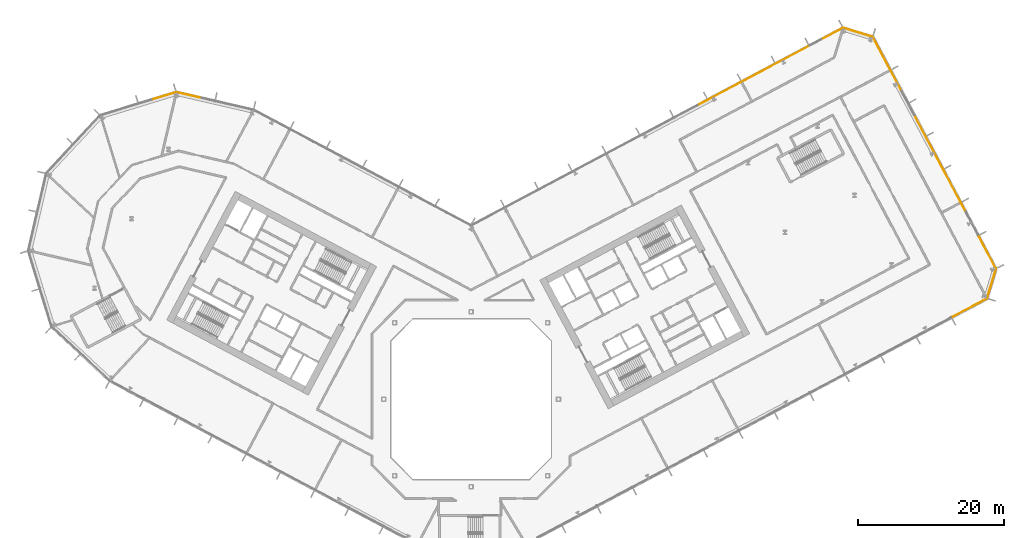
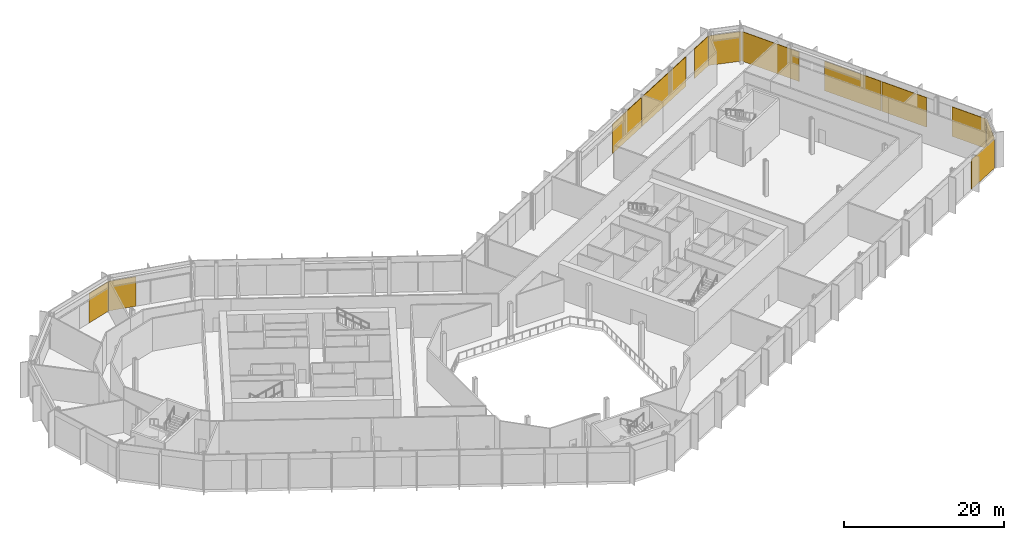
# One storey, part 31 of 31: 12 coverings, 7 elements without a shape of their own.
"""IFC4 building model written with IfcOpenShell, lengths in metres."""

from ifc_helpers import new_model, si_unit, direction, frame, origin, origin_2d, place, context, subcontext, project, spatial, rectangle, extrude, material, layer, layer_set, type_object, element, aggregate, save


model = new_model("IFC4")

# Units and contexts
model_context = context("Model", 3, precision=1e-05, world=origin(), true_north=direction((0.0, 1.0)))
body_context = subcontext(model_context, "Body", "Model", "MODEL_VIEW")
ifc_project = project(units=[si_unit("LENGTHUNIT", "METRE"), si_unit("AREAUNIT", "SQUARE_METRE"), si_unit("VOLUMEUNIT", "CUBIC_METRE"), si_unit("PLANEANGLEUNIT", "RADIAN"), si_unit("MASSUNIT", "GRAM", prefix="KILO")], contexts=[model_context])

# Site, building, storey
site_placement = place(None, origin())
site = spatial("IfcSite", under=ifc_project, at=site_placement, CompositionType="ELEMENT")
building_placement = place(site_placement, origin())
building = spatial("IfcBuilding", under=site, at=building_placement, Name="Cormorant Relay Tower", CompositionType="ELEMENT")
storey_placement = place(building_placement, frame((0.0, 0.0, 23.0)))
storey = spatial("IfcBuildingStorey", under=building, at=storey_placement, Name="L04", CompositionType="ELEMENT", Elevation=23.0)

# Curtain wall, covering
ifc_material_1 = material(Name="Aluminium 6063-T6 anodised bronze", Category="aluminium")
ifc_layer_1 = layer(ifc_material_1, 0.235107421875)
ifc_layer_set_1 = layer_set([ifc_layer_1], Name="CW6 data hall curtain wall with mineral wool panels")
curtain_wall_type = type_object("IfcCurtainWallType", Name="CW6 data hall curtain wall with mineral wool panels", PredefinedType="NOTDEFINED", material=ifc_layer_set_1)
curtain_wall_1_placement = place(storey_placement, origin())
curtain_wall_1 = element("IfcCurtainWall", 1, at=curtain_wall_1_placement, inside=storey, type_object=curtain_wall_type, Name="CW6 curtain wall 2", PredefinedType="NOTDEFINED")
ifc_material_2 = material(Name="Mineral wool cored anodised bronze aluminium cassette panel", Category="aluminium")
ifc_layer_2 = layer(ifc_material_2, 0.074951171875)
ifc_layer_set_2 = layer_set([ifc_layer_2], Name="CW6 mineral wool cassette panel 75")
covering_type = type_object("IfcCoveringType", Name="CW6 mineral wool cassette panel 75", PredefinedType="CLADDING", material=ifc_layer_set_2)
covering_1_placement = place(storey_placement, frame((68.399658203125, 12.542236328125, 0.0), z_axis=(0.0, 0.0, 1.0), x_axis=(0.882947592859, 0.469471562786, 0.0)))
covering_1 = element("IfcCovering", 2, at=covering_1_placement, type_object=covering_type, Name="CW6 panel S13", PredefinedType="CLADDING", context=body_context, shape_type="SweptSolid", body=[
    extrude(rectangle(XDim=5.436767578125, YDim=0.074951171875, at=origin_2d()), origin(), (0.0, 0.0, 1.0), 4.5),
])
aggregate(curtain_wall_1, [covering_1])

curtain_wall_2_placement = place(storey_placement, origin())
curtain_wall_2 = element("IfcCurtainWall", 3, at=curtain_wall_2_placement, inside=storey, type_object=curtain_wall_type, Name="CW6 curtain wall 3", PredefinedType="NOTDEFINED")
covering_2_placement = place(storey_placement, frame((71.44921875, 15.9052734375, 0.0), z_axis=(0.0, 0.0, 1.0), x_axis=(0.292371704723, 0.956304755963, 0.0)))
covering_2 = element("IfcCovering", 4, at=covering_2_placement, type_object=covering_type, Name="CW6 panel S00", PredefinedType="CLADDING", context=body_context, shape_type="SweptSolid", body=[
    extrude(rectangle(XDim=4.16748046875, YDim=0.074951171875, at=origin_2d()), origin(), (0.0, 0.0, 1.0), 4.5),
])
aggregate(curtain_wall_2, [covering_2])

# Curtain wall, coverings
curtain_wall_3_placement = place(storey_placement, origin())
curtain_wall_3 = element("IfcCurtainWall", 5, at=curtain_wall_3_placement, inside=storey, type_object=curtain_wall_type, Name="CW6 curtain wall 4", PredefinedType="NOTDEFINED")
covering_3_placement = place(storey_placement, frame((70.8486328125, 20.197021484375, 0.0), z_axis=(0.0, 0.0, 1.0), x_axis=(-0.469471562786, 0.882947592859, 0.0)))
covering_3 = element("IfcCovering", 6, at=covering_3_placement, type_object=covering_type, Name="CW6 panel S00", PredefinedType="CLADDING", context=body_context, shape_type="SweptSolid", body=[
    extrude(rectangle(XDim=4.992919921875, YDim=0.074951171875, at=origin_2d()), origin(), (0.0, 0.0, 1.0), 4.5),
])
covering_4_placement = place(storey_placement, frame((66.3818359375, 28.59765625, 0.0), z_axis=(0.0, 0.0, 1.0), x_axis=(-0.469471562786, 0.882947592859, 0.0)))
covering_4 = element("IfcCovering", 7, at=covering_4_placement, type_object=covering_type, Name="CW6 panel S02", PredefinedType="CLADDING", context=body_context, shape_type="SweptSolid", body=[
    extrude(rectangle(XDim=6.53564453125, YDim=0.074951171875, at=origin_2d()), origin(), (0.0, 0.0, 1.0), 4.5),
])
covering_5_placement = place(storey_placement, frame((62.820556640625, 35.29541015625, 0.0), z_axis=(0.0, 0.0, 1.0), x_axis=(-0.469471562786, 0.882947592859, 0.0)))
covering_5 = element("IfcCovering", 8, at=covering_5_placement, type_object=covering_type, Name="CW6 panel S03", PredefinedType="CLADDING", context=body_context, shape_type="SweptSolid", body=[
    extrude(rectangle(XDim=8.335693359375, YDim=0.074951171875, at=origin_2d()), origin(), (0.0, 0.0, 1.0), 4.5),
])
covering_6_placement = place(storey_placement, frame((57.129150390625, 45.99951171875, 0.0), z_axis=(0.0, 0.0, 1.0), x_axis=(-0.469471562786, 0.882947592859, 0.0)))
covering_6 = element("IfcCovering", 9, at=covering_6_placement, type_object=covering_type, Name="CW6 panel S06", PredefinedType="CLADDING", context=body_context, shape_type="SweptSolid", body=[
    extrude(rectangle(XDim=8.41064453125, YDim=0.074951171875, at=origin_2d()), origin(), (0.0, 0.0, 1.0), 4.5),
])
aggregate(curtain_wall_3, [covering_3, covering_4, covering_5, covering_6])

# Curtain wall, covering
curtain_wall_4_placement = place(storey_placement, origin())
curtain_wall_4 = element("IfcCurtainWall", 10, at=curtain_wall_4_placement, inside=storey, type_object=curtain_wall_type, Name="CW6 curtain wall 5", PredefinedType="NOTDEFINED")
covering_7_placement = place(storey_placement, frame((53.068115234375, 50.362060546875, 0.0), z_axis=(0.0, 0.0, 1.0), x_axis=(-0.956304755963, 0.292371704723, 0.0)))
covering_7 = element("IfcCovering", 11, at=covering_7_placement, type_object=covering_type, Name="CW6 panel S00", PredefinedType="CLADDING", context=body_context, shape_type="SweptSolid", body=[
    extrude(rectangle(XDim=4.16748046875, YDim=0.074951171875, at=origin_2d()), origin(), (0.0, 0.0, 1.0), 4.5),
])
aggregate(curtain_wall_4, [covering_7])

# Curtain wall, coverings
curtain_wall_5_placement = place(storey_placement, origin())
curtain_wall_5 = element("IfcCurtainWall", 12, at=curtain_wall_5_placement, inside=storey, type_object=curtain_wall_type, Name="CW6 curtain wall 6", PredefinedType="NOTDEFINED")
covering_8_placement = place(storey_placement, frame((49.5205078125, 50.156982421875, 0.0), z_axis=(0.0, 0.0, 1.0), x_axis=(-0.882947592859, -0.469471562786, 0.0)))
covering_8 = element("IfcCovering", 13, at=covering_8_placement, type_object=covering_type, Name="CW6 panel S00", PredefinedType="CLADDING", context=body_context, shape_type="SweptSolid", body=[
    extrude(rectangle(XDim=3.3076171875, YDim=0.074951171875, at=origin_2d()), origin(), (0.0, 0.0, 1.0), 4.5),
])
covering_9_placement = place(storey_placement, frame((41.762451171875, 46.031982421875, 0.0), z_axis=(0.0, 0.0, 1.0), x_axis=(-0.882947592859, -0.469471562786, 0.0)))
covering_9 = element("IfcCovering", 14, at=covering_9_placement, type_object=covering_type, Name="CW6 panel S02", PredefinedType="CLADDING", context=body_context, shape_type="SweptSolid", body=[
    extrude(rectangle(XDim=10.365234375, YDim=0.074951171875, at=origin_2d()), origin(), (0.0, 0.0, 1.0), 4.5),
])
covering_10_placement = place(storey_placement, frame((34.0673828125, 41.940185546875, 0.0), z_axis=(0.0, 0.0, 1.0), x_axis=(-0.882947592859, -0.469471562786, 0.0)))
covering_10 = element("IfcCovering", 15, at=covering_10_placement, type_object=covering_type, Name="CW6 panel S03", PredefinedType="CLADDING", context=body_context, shape_type="SweptSolid", body=[
    extrude(rectangle(XDim=6.765380859375, YDim=0.074951171875, at=origin_2d()), origin(), (0.0, 0.0, 1.0), 4.5),
])
aggregate(curtain_wall_5, [covering_8, covering_9, covering_10])

# Curtain wall, covering
curtain_wall_6_placement = place(storey_placement, origin())
curtain_wall_6 = element("IfcCurtainWall", 16, at=curtain_wall_6_placement, inside=storey, type_object=curtain_wall_type, Name="CW6 curtain wall 8", PredefinedType="NOTDEFINED")
covering_11_placement = place(storey_placement, frame((-38.72265625, 41.74951171875, 0.0), z_axis=(0.0, 0.0, 1.0), x_axis=(-0.974370064785, 0.224951054344, 0.0)))
covering_11 = element("IfcCovering", 17, at=covering_11_placement, type_object=covering_type, Name="CW6 panel S02", PredefinedType="CLADDING", context=body_context, shape_type="SweptSolid", body=[
    extrude(rectangle(XDim=3.560302734375, YDim=0.074951171875, at=origin_2d()), origin(), (0.0, 0.0, 1.0), 4.5),
])
aggregate(curtain_wall_6, [covering_11])

curtain_wall_7_placement = place(storey_placement, origin())
curtain_wall_7 = element("IfcCurtainWall", 18, at=curtain_wall_7_placement, inside=storey, type_object=curtain_wall_type, Name="CW6 curtain wall 9", PredefinedType="NOTDEFINED")
covering_12_placement = place(storey_placement, frame((-42.214599609375, 41.617919921875, 0.0), z_axis=(0.0, 0.0, 1.0), x_axis=(-0.956304755963, -0.292371704723, 0.0)))
covering_12 = element("IfcCovering", 19, at=covering_12_placement, type_object=covering_type, Name="CW6 panel S00", PredefinedType="CLADDING", context=body_context, shape_type="SweptSolid", body=[
    extrude(rectangle(XDim=3.485107421875, YDim=0.074951171875, at=origin_2d()), origin(), (0.0, 0.0, 1.0), 4.5),
])
aggregate(curtain_wall_7, [covering_12])

save(model, "model.ifc")
